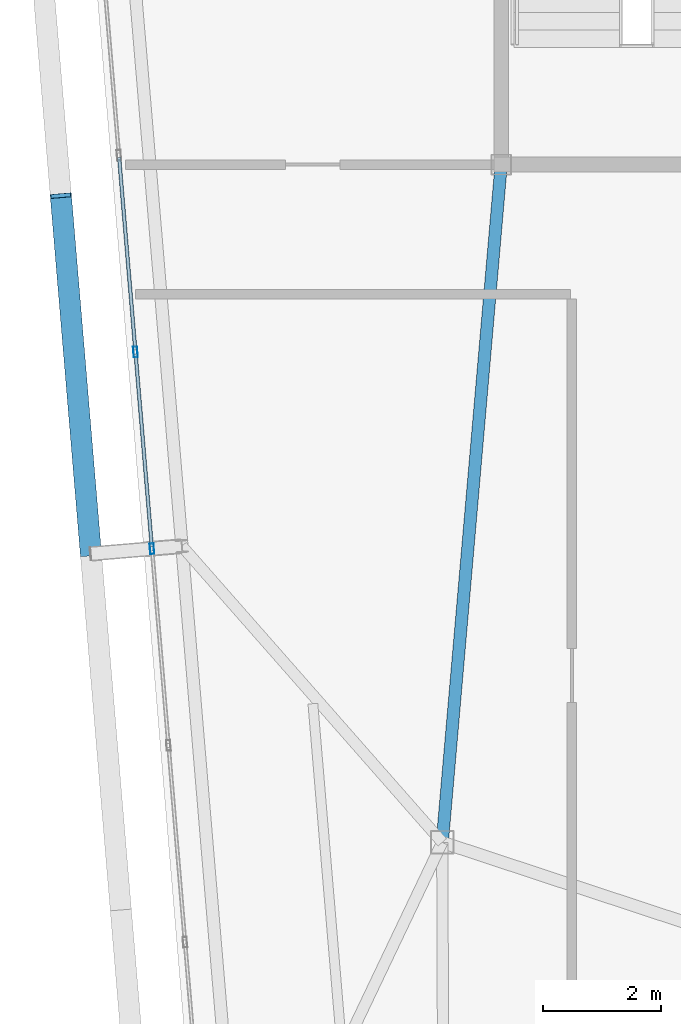
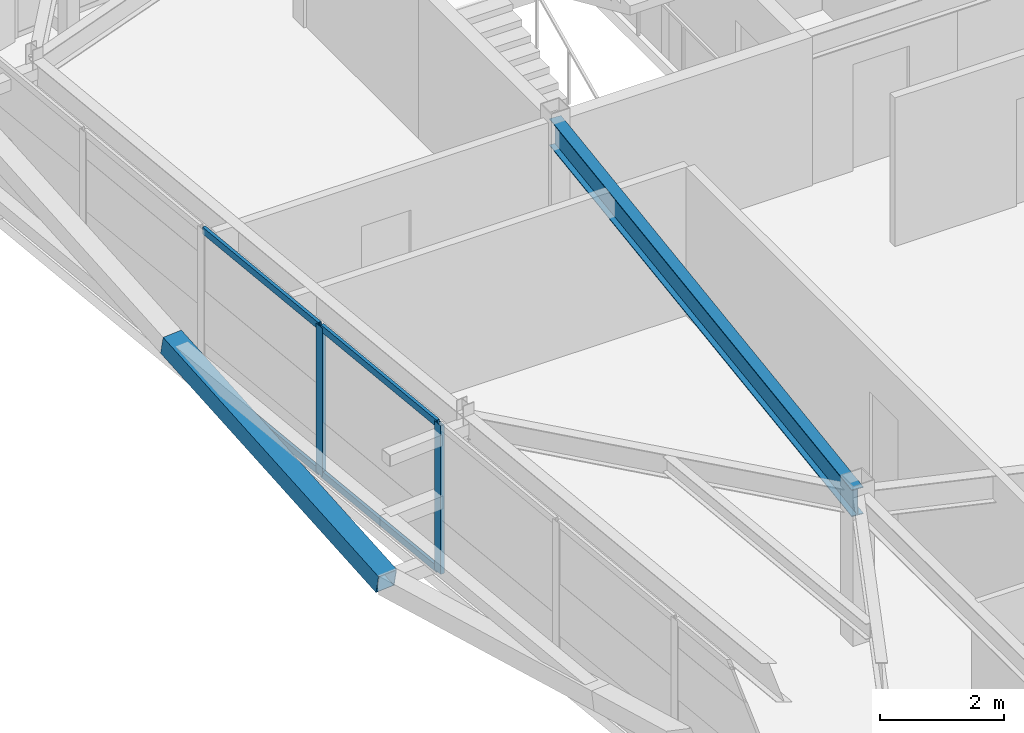
# One storey, part 14 of 46: 7 members, 1 beam, 1 element without a shape of its own.
"""IFC4 building model written with IfcOpenShell, lengths in metres."""

from ifc_helpers import new_model, si_unit, direction, frame, origin, origin_2d, place, context, subcontext, project, spatial, hollow_rectangle, i_section, extrude, source, transform, mapped, material, layer, layer_set, material_profile, profile_set, type_object, element, aggregate, save


model = new_model("IFC4")

# Units and contexts
model_context = context("Model", 3, precision=1e-05, world=origin(), true_north=direction((0.0, 1.0)))
body_context = subcontext(model_context, "Body", "Model", "MODEL_VIEW")
ifc_project = project(units=[si_unit("LENGTHUNIT", "METRE"), si_unit("AREAUNIT", "SQUARE_METRE"), si_unit("VOLUMEUNIT", "CUBIC_METRE"), si_unit("PLANEANGLEUNIT", "RADIAN"), si_unit("MASSUNIT", "GRAM", prefix="KILO")], contexts=[model_context])

# Site, building, storey
site_placement = place(None, origin())
site = spatial("IfcSite", under=ifc_project, at=site_placement, CompositionType="ELEMENT")
building_placement = place(site_placement, origin())
building = spatial("IfcBuilding", under=site, at=building_placement, Name="Taldren Reach Tower", CompositionType="ELEMENT")
storey_placement = place(building_placement, frame((0.0, 0.0, 188.300048828125)))
storey = spatial("IfcBuildingStorey", under=building, at=storey_placement, Name="L57", CompositionType="ELEMENT", Elevation=188.300048828125)

# Beam
ifc_material_1 = material(Name="Steel Gr 350 (350PLUS)", Category="steel")
ifc_material_profile_1 = material_profile(ifc_material_1, i_section(OverallWidth=0.208984375, OverallDepth=0.532958984375, WebThickness=0.01025390625, FlangeThickness=0.015625, at=origin_2d()), Name="530UB92.4")
ifc_profile_set_1 = profile_set([ifc_material_profile_1], Name="Steel Gr 350 (350PLUS)")
beam_type = type_object("IfcBeamType", Name="BM-UB530A", PredefinedType="BEAM", material=ifc_profile_set_1)
shared_shape_1 = source(origin(), body_context, "Body", "SweptSolid", [
    extrude(i_section(OverallWidth=0.208984375, OverallDepth=0.532958984375, WebThickness=0.01025390625, FlangeThickness=0.015625, at=origin_2d()), origin(), (0.0, 0.0, 1.0), 11.54345703125),
])
beam_placement = place(storey_placement, frame((19.0, 24.0, 2.663330078125), z_axis=(-0.086629616365, -0.996240588196, 0.0), x_axis=(0.996240588196, -0.086629616365, 0.0)))
element("IfcBeam", 1, at=beam_placement, inside=storey, type_object=beam_type, Name="Core-spine girder L57-SP09", PredefinedType="BEAM", context=body_context, shape_type="MappedRepresentation", body=[
    mapped(shared_shape_1, transform((0.0, 0.0, 0.0), scale=1.0)),
])

# Member
ifc_material_2 = material(Name="Steel Gr 450 (C450L0)", Category="steel")
ifc_material_profile_2 = material_profile(ifc_material_2, hollow_rectangle(XDim=0.360107421875, YDim=0.360107421875, WallThickness=0.0126953125, at=origin_2d()), Name="360x360x12.7SHS")
ifc_profile_set_2 = profile_set([ifc_material_profile_2], Name="Steel Gr 450 (C450L0)")
member_type_1 = type_object("IfcMemberType", Name="MB-EXO356", PredefinedType="BRACE", material=ifc_profile_set_2)
shared_shape_2 = source(origin(), body_context, "Body", "SweptSolid", [
    extrude(hollow_rectangle(XDim=0.360107421875, YDim=0.360107421875, WallThickness=0.0126953125, at=origin_2d()), origin(), (0.0, 0.0, 1.0), 6.2197265625),
])
member_1_placement = place(storey_placement, frame((12.0380859375, 17.3955078125, 0.219970703125), z_axis=(-0.082036577282, 0.977295072332, 0.195356959394), x_axis=(-0.996495340012, -0.08364829547, 0.0)))
element("IfcMember", 2, at=member_1_placement, inside=storey, type_object=member_type_1, Name="Exoskeleton Diagrid Brace B4-W2 L57", PredefinedType="BRACE", context=body_context, shape_type="MappedRepresentation", body=[
    mapped(shared_shape_2, transform((0.0, 0.0, 0.0), scale=1.0)),
])

# Curtain wall, members
ifc_material_3 = material(Name="Aluminium and Low-E Glass Unitised System", Category="aluminium")
ifc_layer = layer(ifc_material_3, 0.159912109375)
ifc_layer_set = layer_set([ifc_layer], Name="Aluminium and Low-E Glass Unitised System")
curtain_wall_type = type_object("IfcCurtainWallType", Name="CW-SYS-5", PredefinedType="NOTDEFINED", material=ifc_layer_set)
curtain_wall_placement = place(storey_placement, origin())
curtain_wall = element("IfcCurtainWall", 3, at=curtain_wall_placement, inside=storey, type_object=curtain_wall_type, Name="Unitised curtain wall CW-L57-W", PredefinedType="NOTDEFINED")
ifc_material_4 = material(Name="Anodised Aluminium 6063-T6", Category="aluminium")
ifc_material_profile_3 = material_profile(ifc_material_4, hollow_rectangle(XDim=0.070068359375, YDim=0.179931640625, WallThickness=0.00390625, at=origin_2d()), Name="ALU-180x70x4RHS")
ifc_profile_set_3 = profile_set([ifc_material_profile_3], Name="Anodised Aluminium 6063-T6")
member_type_2 = type_object("IfcMemberType", Name="CW-MUL-180", PredefinedType="MULLION", material=ifc_profile_set_3)
shared_shape_3 = source(origin(), body_context, "Body", "SweptSolid", [
    extrude(hollow_rectangle(XDim=0.070068359375, YDim=0.179931640625, WallThickness=0.00390625, at=origin_2d()), origin(), (0.0, 0.0, 1.0), 2.929931640625),
])
member_2_placement = place(storey_placement, frame((12.794189453125, 20.82080078125, 0.0), z_axis=(0.0, 0.0, 1.0), x_axis=(0.996492847789, 0.083677979808, 0.0)))
member_2 = element("IfcMember", 4, at=member_2_placement, type_object=member_type_2, Name="CW-5 mullion 4", PredefinedType="MULLION", context=body_context, shape_type="MappedRepresentation", body=[
    mapped(shared_shape_3, transform((0.0, 0.0, 0.0), scale=1.0)),
])
member_3_placement = place(storey_placement, frame((13.074462890625, 17.482421875, 0.0), z_axis=(0.0, 0.0, 1.0), x_axis=(0.996492847789, 0.083677979808, 0.0)))
member_3 = element("IfcMember", 5, at=member_3_placement, type_object=member_type_2, Name="CW-5 mullion 5", PredefinedType="MULLION", context=body_context, shape_type="MappedRepresentation", body=[
    mapped(shared_shape_3, transform((0.0, 0.0, 0.0), scale=1.0)),
])
ifc_material_profile_4 = material_profile(ifc_material_4, hollow_rectangle(XDim=0.06005859375, YDim=0.135009765625, WallThickness=0.00341796875, at=origin_2d()), Name="ALU-135x60x3.5RHS")
ifc_profile_set_4 = profile_set([ifc_material_profile_4], Name="Anodised Aluminium 6063-T6")
member_type_3 = type_object("IfcMemberType", Name="CW-TRN-150", PredefinedType="USERDEFINED", material=ifc_profile_set_4)
shared_shape_4 = source(origin(), body_context, "Body", "SweptSolid", [
    extrude(hollow_rectangle(XDim=0.06005859375, YDim=0.135009765625, WallThickness=0.00341796875, at=origin_2d()), origin(), (0.0, 0.0, 1.0), 3.280029296875),
])
member_4_placement = place(storey_placement, frame((12.516845703125, 24.124267578125, 0.030029296875), z_axis=(0.083661452101, -0.996494235524, 0.0), x_axis=(0.996494235524, 0.083661452101, 0.0)))
member_4 = element("IfcMember", 6, at=member_4_placement, type_object=member_type_3, Name="CW-5 transom 3.1", ObjectType="TRANSOM", PredefinedType="USERDEFINED", context=body_context, shape_type="MappedRepresentation", body=[
    mapped(shared_shape_4, transform((0.0, 0.0, 0.0), scale=1.0)),
])
member_5_placement = place(storey_placement, frame((12.516845703125, 24.124267578125, 2.89990234375), z_axis=(0.083661452101, -0.996494235524, 0.0), x_axis=(0.996494235524, 0.083661452101, 0.0)))
member_5 = element("IfcMember", 7, at=member_5_placement, type_object=member_type_3, Name="CW-5 transom 3.2", ObjectType="TRANSOM", PredefinedType="USERDEFINED", context=body_context, shape_type="MappedRepresentation", body=[
    mapped(shared_shape_4, transform((0.0, 0.0, 0.0), scale=1.0)),
])
member_6_placement = place(storey_placement, frame((12.797119140625, 20.785888671875, 0.030029296875), z_axis=(0.083661452101, -0.996494235524, 0.0), x_axis=(0.996494235524, 0.083661452101, 0.0)))
member_6 = element("IfcMember", 8, at=member_6_placement, type_object=member_type_3, Name="CW-5 transom 4.1", ObjectType="TRANSOM", PredefinedType="USERDEFINED", context=body_context, shape_type="MappedRepresentation", body=[
    mapped(shared_shape_4, transform((0.0, 0.0, 0.0), scale=1.0)),
])
member_7_placement = place(storey_placement, frame((12.797119140625, 20.785888671875, 2.89990234375), z_axis=(0.083661452101, -0.996494235524, 0.0), x_axis=(0.996494235524, 0.083661452101, 0.0)))
member_7 = element("IfcMember", 9, at=member_7_placement, type_object=member_type_3, Name="CW-5 transom 4.2", ObjectType="TRANSOM", PredefinedType="USERDEFINED", context=body_context, shape_type="MappedRepresentation", body=[
    mapped(shared_shape_4, transform((0.0, 0.0, 0.0), scale=1.0)),
])
aggregate(curtain_wall, [member_2, member_3, member_4, member_5, member_6, member_7])

save(model, "model.ifc")
